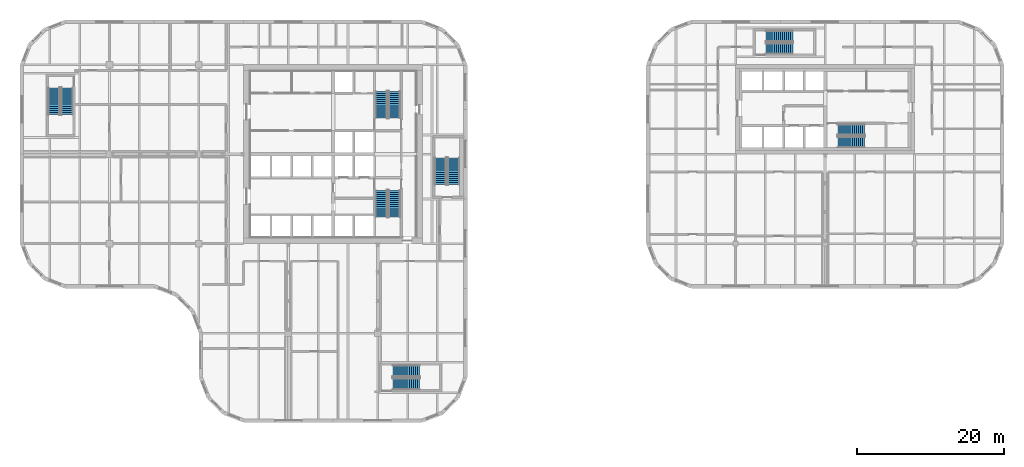
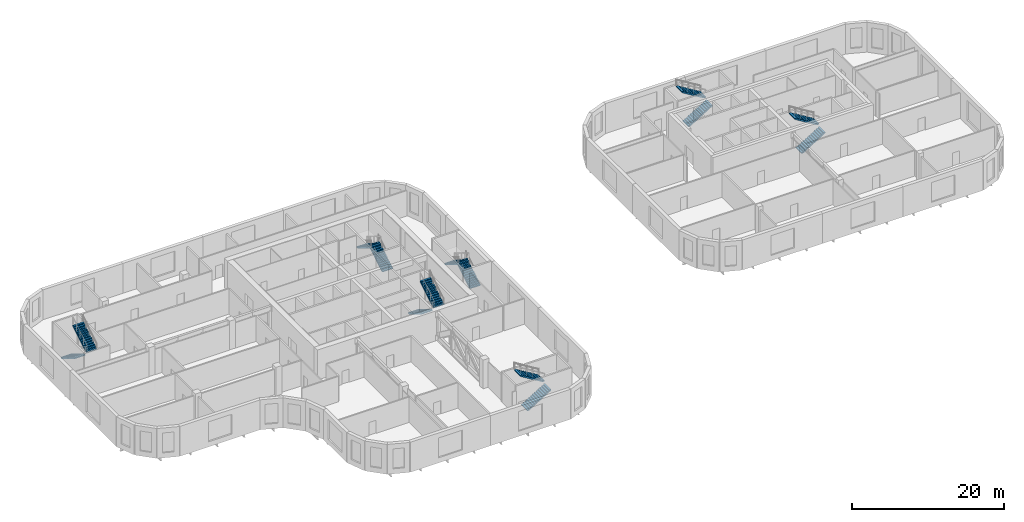
# One storey, part 17 of 21: 14 stair flights, 7 elements without a shape of their own.
"""IFC4 building model written with IfcOpenShell, lengths in metres."""

from ifc_helpers import new_model, si_unit, direction, frame, origin, place, context, subcontext, project, spatial, polyline, outline, extrude, material, type_object, element, aggregate, save


model = new_model("IFC4")

# Units and contexts
model_context = context("Model", 3, precision=1e-05, world=origin(), true_north=direction((0.0, 1.0)))
body_context = subcontext(model_context, "Body", "Model", "MODEL_VIEW")
ifc_project = project(units=[si_unit("LENGTHUNIT", "METRE"), si_unit("AREAUNIT", "SQUARE_METRE"), si_unit("VOLUMEUNIT", "CUBIC_METRE"), si_unit("PLANEANGLEUNIT", "RADIAN"), si_unit("MASSUNIT", "GRAM", prefix="KILO")], contexts=[model_context])

# Site, building, storey
site_placement = place(None, origin())
site = spatial("IfcSite", under=ifc_project, at=site_placement, CompositionType="ELEMENT")
building_placement = place(site_placement, origin())
building = spatial("IfcBuilding", under=site, at=building_placement, Name="Tessera Gate Towers", CompositionType="ELEMENT")
storey_placement = place(building_placement, frame((0.0, 0.0, 63.800048828125)))
storey = spatial("IfcBuildingStorey", under=building, at=storey_placement, Name="L15", CompositionType="ELEMENT", Elevation=63.800048828125)

# Stair, stair flights
ifc_material_1 = material(Name="Concrete C40/50", Category="concrete")
stair_type_1 = type_object("IfcStairType", Name="EXIT STAIR ST1A 1600", PredefinedType="HALF_TURN_STAIR", material=ifc_material_1)
stair_1_placement = place(storey_placement, origin())
stair_1 = element("IfcStair", 1, at=stair_1_placement, inside=storey, type_object=stair_type_1, Name="L15 Protected Exit Stair ST1", PredefinedType="HALF_TURN_STAIR")
ifc_material_2 = material(Name="Concrete C40/50", Category="concrete")
stair_flight_type_1 = type_object("IfcStairFlightType", Name="EXIT STAIR FLIGHT ST1A 1600", PredefinedType="STRAIGHT", material=ifc_material_2)
stair_flight_1_placement = place(storey_placement, frame((49.27490234375, 31.675048828125, 0.0), z_axis=(0.0, 0.0, 1.0), x_axis=(0.0, -1.0, 0.0)))
stair_flight_1 = element("IfcStairFlight", 2, at=stair_flight_1_placement, type_object=stair_flight_type_1, Name="ST1 flight 1", NumberOfRisers=14, NumberOfTreads=13, PredefinedType="STRAIGHT", RiserHeight=0.171428571, TreadLength=0.28, context=body_context, shape_type="SweptSolid", body=[
    extrude(outline(polyline([(0.0, 0.0), (0.0, 0.17138671875), (0.280029296875, 0.17138671875), (0.280029296875, 0.3427734375), (0.56005859375, 0.3427734375), (0.56005859375, 0.514404296875), (0.840087890625, 0.514404296875), (0.840087890625, 0.685791015625), (1.1201171875, 0.685791015625), (1.1201171875, 0.857177734375), (1.39990234375, 0.857177734375), (1.39990234375, 1.028564453125), (1.679931640625, 1.028564453125), (1.679931640625, 1.199951171875), (1.9599609375, 1.199951171875), (1.9599609375, 1.371337890625), (2.239990234375, 1.371337890625), (2.239990234375, 1.54296875), (2.52001953125, 1.54296875), (2.52001953125, 1.71435546875), (2.800048828125, 1.71435546875), (2.800048828125, 1.8857421875), (3.080078125, 1.8857421875), (3.080078125, 2.05712890625), (3.360107421875, 2.05712890625), (3.360107421875, 2.228515625), (3.639892578125, 2.228515625), (3.639892578125, 2.39990234375), (3.639892578125, 2.052734375), (0.287109375, 0.0), (0.0, 0.0)])), frame((0.0, 0.800048828125, 0.0), z_axis=(0.0, -1.0, 0.0), x_axis=(1.0, 0.0, 0.0)), (0.0, 0.0, 1.0), 1.60009765625),
])
stair_flight_2_placement = place(storey_placement, frame((51.074951171875, 28.034912109375, 2.39990234375), z_axis=(0.0, 0.0, 1.0), x_axis=(0.0, 1.0, 0.0)))
stair_flight_2 = element("IfcStairFlight", 3, at=stair_flight_2_placement, type_object=stair_flight_type_1, Name="ST1 flight 2", NumberOfRisers=14, NumberOfTreads=13, PredefinedType="STRAIGHT", RiserHeight=0.171428571, TreadLength=0.28, context=body_context, shape_type="SweptSolid", body=[
    extrude(outline(polyline([(0.0, 0.0), (0.0, 0.17138671875), (0.280029296875, 0.17138671875), (0.280029296875, 0.3427734375), (0.56005859375, 0.3427734375), (0.56005859375, 0.514404296875), (0.840087890625, 0.514404296875), (0.840087890625, 0.685791015625), (1.1201171875, 0.685791015625), (1.1201171875, 0.857177734375), (1.39990234375, 0.857177734375), (1.39990234375, 1.028564453125), (1.679931640625, 1.028564453125), (1.679931640625, 1.199951171875), (1.9599609375, 1.199951171875), (1.9599609375, 1.371337890625), (2.239990234375, 1.371337890625), (2.239990234375, 1.54296875), (2.52001953125, 1.54296875), (2.52001953125, 1.71435546875), (2.800048828125, 1.71435546875), (2.800048828125, 1.8857421875), (3.080078125, 1.8857421875), (3.080078125, 2.05712890625), (3.360107421875, 2.05712890625), (3.360107421875, 2.228515625), (3.639892578125, 2.228515625), (3.639892578125, 2.39990234375), (3.639892578125, 2.052734375), (0.287109375, 0.0), (0.0, 0.0)])), frame((0.0, 0.800048828125, 0.0), z_axis=(0.0, -1.0, 0.0), x_axis=(1.0, 0.0, 0.0)), (0.0, 0.0, 1.0), 1.60009765625),
])
aggregate(stair_1, [stair_flight_1, stair_flight_2])

ifc_material_3 = material(Name="Concrete C40/50", Category="concrete")
stair_type_2 = type_object("IfcStairType", Name="EXIT STAIR ST2A 1600", PredefinedType="HALF_TURN_STAIR", material=ifc_material_3)
stair_2_placement = place(storey_placement, origin())
stair_2 = element("IfcStair", 4, at=stair_2_placement, inside=storey, type_object=stair_type_2, Name="L15 Protected Exit Stair ST2", PredefinedType="HALF_TURN_STAIR")
ifc_material_4 = material(Name="Concrete C40/50", Category="concrete")
stair_flight_type_2 = type_object("IfcStairFlightType", Name="EXIT STAIR FLIGHT ST2A 1600", PredefinedType="STRAIGHT", material=ifc_material_4)
stair_flight_3_placement = place(storey_placement, frame((51.074951171875, 41.52490234375, 0.0), z_axis=(0.0, 0.0, 1.0), x_axis=(0.0, 1.0, 0.0)))
stair_flight_3 = element("IfcStairFlight", 5, at=stair_flight_3_placement, type_object=stair_flight_type_2, Name="ST2 flight 1", NumberOfRisers=14, NumberOfTreads=13, PredefinedType="STRAIGHT", RiserHeight=0.171428571, TreadLength=0.28, context=body_context, shape_type="SweptSolid", body=[
    extrude(outline(polyline([(0.0, 0.0), (0.0, 0.17138671875), (0.280029296875, 0.17138671875), (0.280029296875, 0.3427734375), (0.56005859375, 0.3427734375), (0.56005859375, 0.514404296875), (0.840087890625, 0.514404296875), (0.840087890625, 0.685791015625), (1.1201171875, 0.685791015625), (1.1201171875, 0.857177734375), (1.39990234375, 0.857177734375), (1.39990234375, 1.028564453125), (1.679931640625, 1.028564453125), (1.679931640625, 1.199951171875), (1.9599609375, 1.199951171875), (1.9599609375, 1.371337890625), (2.239990234375, 1.371337890625), (2.239990234375, 1.54296875), (2.52001953125, 1.54296875), (2.52001953125, 1.71435546875), (2.800048828125, 1.71435546875), (2.800048828125, 1.8857421875), (3.080078125, 1.8857421875), (3.080078125, 2.05712890625), (3.360107421875, 2.05712890625), (3.360107421875, 2.228515625), (3.639892578125, 2.228515625), (3.639892578125, 2.39990234375), (3.639892578125, 2.052734375), (0.287109375, 0.0), (0.0, 0.0)])), frame((0.0, 0.800048828125, 0.0), z_axis=(0.0, -1.0, 0.0), x_axis=(1.0, 0.0, 0.0)), (0.0, 0.0, 1.0), 1.60009765625),
])
stair_flight_4_placement = place(storey_placement, frame((49.27490234375, 45.1650390625, 2.39990234375), z_axis=(0.0, 0.0, 1.0), x_axis=(0.0, -1.0, 0.0)))
stair_flight_4 = element("IfcStairFlight", 6, at=stair_flight_4_placement, type_object=stair_flight_type_2, Name="ST2 flight 2", NumberOfRisers=14, NumberOfTreads=13, PredefinedType="STRAIGHT", RiserHeight=0.171428571, TreadLength=0.28, context=body_context, shape_type="SweptSolid", body=[
    extrude(outline(polyline([(0.0, 0.0), (0.0, 0.17138671875), (0.280029296875, 0.17138671875), (0.280029296875, 0.3427734375), (0.56005859375, 0.3427734375), (0.56005859375, 0.514404296875), (0.840087890625, 0.514404296875), (0.840087890625, 0.685791015625), (1.1201171875, 0.685791015625), (1.1201171875, 0.857177734375), (1.39990234375, 0.857177734375), (1.39990234375, 1.028564453125), (1.679931640625, 1.028564453125), (1.679931640625, 1.199951171875), (1.9599609375, 1.199951171875), (1.9599609375, 1.371337890625), (2.239990234375, 1.371337890625), (2.239990234375, 1.54296875), (2.52001953125, 1.54296875), (2.52001953125, 1.71435546875), (2.800048828125, 1.71435546875), (2.800048828125, 1.8857421875), (3.080078125, 1.8857421875), (3.080078125, 2.05712890625), (3.360107421875, 2.05712890625), (3.360107421875, 2.228515625), (3.639892578125, 2.228515625), (3.639892578125, 2.39990234375), (3.639892578125, 2.052734375), (0.287109375, 0.0), (0.0, 0.0)])), frame((0.0, 0.800048828125, 0.0), z_axis=(0.0, -1.0, 0.0), x_axis=(1.0, 0.0, 0.0)), (0.0, 0.0, 1.0), 1.60009765625),
])
aggregate(stair_2, [stair_flight_3, stair_flight_4])

ifc_material_5 = material(Name="Concrete C40/50", Category="concrete")
stair_type_3 = type_object("IfcStairType", Name="EXIT STAIR ST3A 1600", PredefinedType="HALF_TURN_STAIR", material=ifc_material_5)
stair_3_placement = place(storey_placement, origin())
stair_3 = element("IfcStair", 7, at=stair_3_placement, inside=storey, type_object=stair_type_3, Name="L15 West Exit Stair ST3", PredefinedType="HALF_TURN_STAIR")
ifc_material_6 = material(Name="Concrete C40/50", Category="concrete")
stair_flight_type_3 = type_object("IfcStairFlightType", Name="EXIT STAIR FLIGHT ST3A 1600", PredefinedType="STRAIGHT", material=ifc_material_6)
stair_flight_5_placement = place(storey_placement, frame((4.64990234375, 45.64990234375, 0.0), z_axis=(0.0, 0.0, 1.0), x_axis=(0.0, -1.0, 0.0)))
stair_flight_5 = element("IfcStairFlight", 8, at=stair_flight_5_placement, type_object=stair_flight_type_3, Name="ST3 flight 1", NumberOfRisers=14, NumberOfTreads=13, PredefinedType="STRAIGHT", RiserHeight=0.171428571, TreadLength=0.28, context=body_context, shape_type="SweptSolid", body=[
    extrude(outline(polyline([(0.0, 0.0), (0.0, 0.17138671875), (0.280029296875, 0.17138671875), (0.280029296875, 0.3427734375), (0.56005859375, 0.3427734375), (0.56005859375, 0.514404296875), (0.840087890625, 0.514404296875), (0.840087890625, 0.685791015625), (1.1201171875, 0.685791015625), (1.1201171875, 0.857177734375), (1.39990234375, 0.857177734375), (1.39990234375, 1.028564453125), (1.679931640625, 1.028564453125), (1.679931640625, 1.199951171875), (1.9599609375, 1.199951171875), (1.9599609375, 1.371337890625), (2.239990234375, 1.371337890625), (2.239990234375, 1.54296875), (2.52001953125, 1.54296875), (2.52001953125, 1.71435546875), (2.800048828125, 1.71435546875), (2.800048828125, 1.8857421875), (3.080078125, 1.8857421875), (3.080078125, 2.05712890625), (3.360107421875, 2.05712890625), (3.360107421875, 2.228515625), (3.639892578125, 2.228515625), (3.639892578125, 2.39990234375), (3.639892578125, 2.052734375), (0.287109375, 0.0), (0.0, 0.0)])), frame((0.0, 0.800048828125, 0.0), z_axis=(0.0, -1.0, 0.0), x_axis=(1.0, 0.0, 0.0)), (0.0, 0.0, 1.0), 1.60009765625),
])
stair_flight_6_placement = place(storey_placement, frame((6.449951171875, 42.010009765625, 2.39990234375), z_axis=(0.0, 0.0, 1.0), x_axis=(0.0, 1.0, 0.0)))
stair_flight_6 = element("IfcStairFlight", 9, at=stair_flight_6_placement, type_object=stair_flight_type_3, Name="ST3 flight 2", NumberOfRisers=14, NumberOfTreads=13, PredefinedType="STRAIGHT", RiserHeight=0.171428571, TreadLength=0.28, context=body_context, shape_type="SweptSolid", body=[
    extrude(outline(polyline([(0.0, 0.0), (0.0, 0.17138671875), (0.280029296875, 0.17138671875), (0.280029296875, 0.3427734375), (0.56005859375, 0.3427734375), (0.56005859375, 0.514404296875), (0.840087890625, 0.514404296875), (0.840087890625, 0.685791015625), (1.1201171875, 0.685791015625), (1.1201171875, 0.857177734375), (1.39990234375, 0.857177734375), (1.39990234375, 1.028564453125), (1.679931640625, 1.028564453125), (1.679931640625, 1.199951171875), (1.9599609375, 1.199951171875), (1.9599609375, 1.371337890625), (2.239990234375, 1.371337890625), (2.239990234375, 1.54296875), (2.52001953125, 1.54296875), (2.52001953125, 1.71435546875), (2.800048828125, 1.71435546875), (2.800048828125, 1.8857421875), (3.080078125, 1.8857421875), (3.080078125, 2.05712890625), (3.360107421875, 2.05712890625), (3.360107421875, 2.228515625), (3.639892578125, 2.228515625), (3.639892578125, 2.39990234375), (3.639892578125, 2.052734375), (0.287109375, 0.0), (0.0, 0.0)])), frame((0.0, 0.800048828125, 0.0), z_axis=(0.0, -1.0, 0.0), x_axis=(1.0, 0.0, 0.0)), (0.0, 0.0, 1.0), 1.60009765625),
])
aggregate(stair_3, [stair_flight_5, stair_flight_6])

ifc_material_7 = material(Name="Concrete C40/50", Category="concrete")
stair_type_4 = type_object("IfcStairType", Name="EXIT STAIR ST4A 1600", PredefinedType="HALF_TURN_STAIR", material=ifc_material_7)
stair_4_placement = place(storey_placement, origin())
stair_4 = element("IfcStair", 10, at=stair_4_placement, inside=storey, type_object=stair_type_4, Name="L15 South Exit Stair ST4", PredefinedType="HALF_TURN_STAIR")
ifc_material_8 = material(Name="Concrete C40/50", Category="concrete")
stair_flight_type_4 = type_object("IfcStairFlightType", Name="EXIT STAIR FLIGHT ST4A 1600", PredefinedType="STRAIGHT", material=ifc_material_8)
stair_flight_7_placement = place(storey_placement, frame((50.85009765625, 5.25, 0.0), z_axis=(0.0, 0.0, 1.0), x_axis=(1.0, 0.0, 0.0)))
stair_flight_7 = element("IfcStairFlight", 11, at=stair_flight_7_placement, type_object=stair_flight_type_4, Name="ST4 flight 1", NumberOfRisers=14, NumberOfTreads=13, PredefinedType="STRAIGHT", RiserHeight=0.171428571, TreadLength=0.28, context=body_context, shape_type="SweptSolid", body=[
    extrude(outline(polyline([(0.0, 0.0), (0.0, 0.17138671875), (0.280029296875, 0.17138671875), (0.280029296875, 0.3427734375), (0.56005859375, 0.3427734375), (0.56005859375, 0.514404296875), (0.840087890625, 0.514404296875), (0.840087890625, 0.685791015625), (1.1201171875, 0.685791015625), (1.1201171875, 0.857177734375), (1.39990234375, 0.857177734375), (1.39990234375, 1.028564453125), (1.679931640625, 1.028564453125), (1.679931640625, 1.199951171875), (1.9599609375, 1.199951171875), (1.9599609375, 1.371337890625), (2.239990234375, 1.371337890625), (2.239990234375, 1.54296875), (2.52001953125, 1.54296875), (2.52001953125, 1.71435546875), (2.800048828125, 1.71435546875), (2.800048828125, 1.8857421875), (3.080078125, 1.8857421875), (3.080078125, 2.05712890625), (3.360107421875, 2.05712890625), (3.360107421875, 2.228515625), (3.639892578125, 2.228515625), (3.639892578125, 2.39990234375), (3.639892578125, 2.052734375), (0.287109375, 0.0), (0.0, 0.0)])), frame((0.0, 0.800048828125, 0.0), z_axis=(0.0, -1.0, 0.0), x_axis=(1.0, 0.0, 0.0)), (0.0, 0.0, 1.0), 1.60009765625),
])
stair_flight_8_placement = place(storey_placement, frame((54.489990234375, 7.050048828125, 2.39990234375), z_axis=(0.0, 0.0, 1.0), x_axis=(-1.0, 0.0, 0.0)))
stair_flight_8 = element("IfcStairFlight", 12, at=stair_flight_8_placement, type_object=stair_flight_type_4, Name="ST4 flight 2", NumberOfRisers=14, NumberOfTreads=13, PredefinedType="STRAIGHT", RiserHeight=0.171428571, TreadLength=0.28, context=body_context, shape_type="SweptSolid", body=[
    extrude(outline(polyline([(0.0, 0.0), (0.0, 0.17138671875), (0.280029296875, 0.17138671875), (0.280029296875, 0.3427734375), (0.56005859375, 0.3427734375), (0.56005859375, 0.514404296875), (0.840087890625, 0.514404296875), (0.840087890625, 0.685791015625), (1.1201171875, 0.685791015625), (1.1201171875, 0.857177734375), (1.39990234375, 0.857177734375), (1.39990234375, 1.028564453125), (1.679931640625, 1.028564453125), (1.679931640625, 1.199951171875), (1.9599609375, 1.199951171875), (1.9599609375, 1.371337890625), (2.239990234375, 1.371337890625), (2.239990234375, 1.54296875), (2.52001953125, 1.54296875), (2.52001953125, 1.71435546875), (2.800048828125, 1.71435546875), (2.800048828125, 1.8857421875), (3.080078125, 1.8857421875), (3.080078125, 2.05712890625), (3.360107421875, 2.05712890625), (3.360107421875, 2.228515625), (3.639892578125, 2.228515625), (3.639892578125, 2.39990234375), (3.639892578125, 2.052734375), (0.287109375, 0.0), (0.0, 0.0)])), frame((0.0, 0.800048828125, 0.0), z_axis=(0.0, -1.0, 0.0), x_axis=(1.0, 0.0, 0.0)), (0.0, 0.0, 1.0), 1.60009765625),
])
aggregate(stair_4, [stair_flight_7, stair_flight_8])

ifc_material_9 = material(Name="Concrete C40/50", Category="concrete")
stair_type_5 = type_object("IfcStairType", Name="EXIT STAIR ST5A 1600", PredefinedType="HALF_TURN_STAIR", material=ifc_material_9)
stair_5_placement = place(storey_placement, origin())
stair_5 = element("IfcStair", 13, at=stair_5_placement, inside=storey, type_object=stair_type_5, Name="L15 East Exit Stair ST5", PredefinedType="HALF_TURN_STAIR")
ifc_material_10 = material(Name="Concrete C40/50", Category="concrete")
stair_flight_type_5 = type_object("IfcStairFlightType", Name="EXIT STAIR FLIGHT ST5A 1600", PredefinedType="STRAIGHT", material=ifc_material_10)
stair_flight_9_placement = place(storey_placement, frame((59.14990234375, 32.449951171875, 0.0), z_axis=(0.0, 0.0, 1.0), x_axis=(0.0, 1.0, 0.0)))
stair_flight_9 = element("IfcStairFlight", 14, at=stair_flight_9_placement, type_object=stair_flight_type_5, Name="ST5 flight 1", NumberOfRisers=14, NumberOfTreads=13, PredefinedType="STRAIGHT", RiserHeight=0.171428571, TreadLength=0.28, context=body_context, shape_type="SweptSolid", body=[
    extrude(outline(polyline([(0.0, 0.0), (0.0, 0.17138671875), (0.280029296875, 0.17138671875), (0.280029296875, 0.3427734375), (0.56005859375, 0.3427734375), (0.56005859375, 0.514404296875), (0.840087890625, 0.514404296875), (0.840087890625, 0.685791015625), (1.1201171875, 0.685791015625), (1.1201171875, 0.857177734375), (1.39990234375, 0.857177734375), (1.39990234375, 1.028564453125), (1.679931640625, 1.028564453125), (1.679931640625, 1.199951171875), (1.9599609375, 1.199951171875), (1.9599609375, 1.371337890625), (2.239990234375, 1.371337890625), (2.239990234375, 1.54296875), (2.52001953125, 1.54296875), (2.52001953125, 1.71435546875), (2.800048828125, 1.71435546875), (2.800048828125, 1.8857421875), (3.080078125, 1.8857421875), (3.080078125, 2.05712890625), (3.360107421875, 2.05712890625), (3.360107421875, 2.228515625), (3.639892578125, 2.228515625), (3.639892578125, 2.39990234375), (3.639892578125, 2.052734375), (0.287109375, 0.0), (0.0, 0.0)])), frame((0.0, 0.800048828125, 0.0), z_axis=(0.0, -1.0, 0.0), x_axis=(1.0, 0.0, 0.0)), (0.0, 0.0, 1.0), 1.60009765625),
])
stair_flight_10_placement = place(storey_placement, frame((57.35009765625, 36.090087890625, 2.39990234375), z_axis=(0.0, 0.0, 1.0), x_axis=(0.0, -1.0, 0.0)))
stair_flight_10 = element("IfcStairFlight", 15, at=stair_flight_10_placement, type_object=stair_flight_type_5, Name="ST5 flight 2", NumberOfRisers=14, NumberOfTreads=13, PredefinedType="STRAIGHT", RiserHeight=0.171428571, TreadLength=0.28, context=body_context, shape_type="SweptSolid", body=[
    extrude(outline(polyline([(0.0, 0.0), (0.0, 0.17138671875), (0.280029296875, 0.17138671875), (0.280029296875, 0.3427734375), (0.56005859375, 0.3427734375), (0.56005859375, 0.514404296875), (0.840087890625, 0.514404296875), (0.840087890625, 0.685791015625), (1.1201171875, 0.685791015625), (1.1201171875, 0.857177734375), (1.39990234375, 0.857177734375), (1.39990234375, 1.028564453125), (1.679931640625, 1.028564453125), (1.679931640625, 1.199951171875), (1.9599609375, 1.199951171875), (1.9599609375, 1.371337890625), (2.239990234375, 1.371337890625), (2.239990234375, 1.54296875), (2.52001953125, 1.54296875), (2.52001953125, 1.71435546875), (2.800048828125, 1.71435546875), (2.800048828125, 1.8857421875), (3.080078125, 1.8857421875), (3.080078125, 2.05712890625), (3.360107421875, 2.05712890625), (3.360107421875, 2.228515625), (3.639892578125, 2.228515625), (3.639892578125, 2.39990234375), (3.639892578125, 2.052734375), (0.287109375, 0.0), (0.0, 0.0)])), frame((0.0, 0.800048828125, 0.0), z_axis=(0.0, -1.0, 0.0), x_axis=(1.0, 0.0, 0.0)), (0.0, 0.0, 1.0), 1.60009765625),
])
aggregate(stair_5, [stair_flight_9, stair_flight_10])

ifc_material_11 = material(Name="Concrete C40/50", Category="concrete")
stair_type_6 = type_object("IfcStairType", Name="EXIT STAIR ST6A 1500", PredefinedType="HALF_TURN_STAIR", material=ifc_material_11)
stair_6_placement = place(storey_placement, origin())
stair_6 = element("IfcStair", 16, at=stair_6_placement, inside=storey, type_object=stair_type_6, Name="L15 Protected Exit Stair ST6", PredefinedType="HALF_TURN_STAIR")
ifc_material_12 = material(Name="Concrete C40/50", Category="concrete")
stair_flight_type_6 = type_object("IfcStairFlightType", Name="EXIT STAIR FLIGHT ST6A 1500", PredefinedType="STRAIGHT", material=ifc_material_12)
stair_flight_11_placement = place(storey_placement, frame((111.550048828125, 38.25, 0.0), z_axis=(0.0, 0.0, 1.0), x_axis=(1.0, 0.0, 0.0)))
stair_flight_11 = element("IfcStairFlight", 17, at=stair_flight_11_placement, type_object=stair_flight_type_6, Name="ST6 flight 1", NumberOfRisers=14, NumberOfTreads=13, PredefinedType="STRAIGHT", RiserHeight=0.171428571, TreadLength=0.28, context=body_context, shape_type="SweptSolid", body=[
    extrude(outline(polyline([(0.0, 0.0), (0.0, 0.17138671875), (0.280029296875, 0.17138671875), (0.280029296875, 0.3427734375), (0.56005859375, 0.3427734375), (0.56005859375, 0.514404296875), (0.840087890625, 0.514404296875), (0.840087890625, 0.685791015625), (1.1201171875, 0.685791015625), (1.1201171875, 0.857177734375), (1.39990234375, 0.857177734375), (1.39990234375, 1.028564453125), (1.679931640625, 1.028564453125), (1.679931640625, 1.199951171875), (1.9599609375, 1.199951171875), (1.9599609375, 1.371337890625), (2.239990234375, 1.371337890625), (2.239990234375, 1.54296875), (2.52001953125, 1.54296875), (2.52001953125, 1.71435546875), (2.800048828125, 1.71435546875), (2.800048828125, 1.8857421875), (3.080078125, 1.8857421875), (3.080078125, 2.05712890625), (3.360107421875, 2.05712890625), (3.360107421875, 2.228515625), (3.639892578125, 2.228515625), (3.639892578125, 2.39990234375), (3.639892578125, 2.052734375), (0.287109375, 0.0), (0.0, 0.0)])), frame((0.0, 0.75, 0.0), z_axis=(0.0, -1.0, 0.0), x_axis=(1.0, 0.0, 0.0)), (0.0, 0.0, 1.0), 1.5),
])
stair_flight_12_placement = place(storey_placement, frame((115.18994140625, 39.949951171875, 2.39990234375), z_axis=(0.0, 0.0, 1.0), x_axis=(-1.0, 0.0, 0.0)))
stair_flight_12 = element("IfcStairFlight", 18, at=stair_flight_12_placement, type_object=stair_flight_type_6, Name="ST6 flight 2", NumberOfRisers=14, NumberOfTreads=13, PredefinedType="STRAIGHT", RiserHeight=0.171428571, TreadLength=0.28, context=body_context, shape_type="SweptSolid", body=[
    extrude(outline(polyline([(0.0, 0.0), (0.0, 0.17138671875), (0.280029296875, 0.17138671875), (0.280029296875, 0.3427734375), (0.56005859375, 0.3427734375), (0.56005859375, 0.514404296875), (0.840087890625, 0.514404296875), (0.840087890625, 0.685791015625), (1.1201171875, 0.685791015625), (1.1201171875, 0.857177734375), (1.39990234375, 0.857177734375), (1.39990234375, 1.028564453125), (1.679931640625, 1.028564453125), (1.679931640625, 1.199951171875), (1.9599609375, 1.199951171875), (1.9599609375, 1.371337890625), (2.239990234375, 1.371337890625), (2.239990234375, 1.54296875), (2.52001953125, 1.54296875), (2.52001953125, 1.71435546875), (2.800048828125, 1.71435546875), (2.800048828125, 1.8857421875), (3.080078125, 1.8857421875), (3.080078125, 2.05712890625), (3.360107421875, 2.05712890625), (3.360107421875, 2.228515625), (3.639892578125, 2.228515625), (3.639892578125, 2.39990234375), (3.639892578125, 2.052734375), (0.287109375, 0.0), (0.0, 0.0)])), frame((0.0, 0.75, 0.0), z_axis=(0.0, -1.0, 0.0), x_axis=(1.0, 0.0, 0.0)), (0.0, 0.0, 1.0), 1.5),
])
aggregate(stair_6, [stair_flight_11, stair_flight_12])

ifc_material_13 = material(Name="Concrete C40/50", Category="concrete")
stair_type_7 = type_object("IfcStairType", Name="EXIT STAIR ST7A 1500", PredefinedType="HALF_TURN_STAIR", material=ifc_material_13)
stair_7_placement = place(storey_placement, origin())
stair_7 = element("IfcStair", 19, at=stair_7_placement, inside=storey, type_object=stair_type_7, Name="L15 North Exit Stair ST7", PredefinedType="HALF_TURN_STAIR")
ifc_material_14 = material(Name="Concrete C40/50", Category="concrete")
stair_flight_type_7 = type_object("IfcStairFlightType", Name="EXIT STAIR FLIGHT ST7A 1500", PredefinedType="STRAIGHT", material=ifc_material_14)
stair_flight_13_placement = place(storey_placement, frame((101.75, 51.0, 0.0), z_axis=(0.0, 0.0, 1.0), x_axis=(1.0, 0.0, 0.0)))
stair_flight_13 = element("IfcStairFlight", 20, at=stair_flight_13_placement, type_object=stair_flight_type_7, Name="ST7 flight 1", NumberOfRisers=14, NumberOfTreads=13, PredefinedType="STRAIGHT", RiserHeight=0.171428571, TreadLength=0.28, context=body_context, shape_type="SweptSolid", body=[
    extrude(outline(polyline([(0.0, 0.0), (0.0, 0.17138671875), (0.280029296875, 0.17138671875), (0.280029296875, 0.3427734375), (0.56005859375, 0.3427734375), (0.56005859375, 0.514404296875), (0.840087890625, 0.514404296875), (0.840087890625, 0.685791015625), (1.1201171875, 0.685791015625), (1.1201171875, 0.857177734375), (1.39990234375, 0.857177734375), (1.39990234375, 1.028564453125), (1.679931640625, 1.028564453125), (1.679931640625, 1.199951171875), (1.9599609375, 1.199951171875), (1.9599609375, 1.371337890625), (2.239990234375, 1.371337890625), (2.239990234375, 1.54296875), (2.52001953125, 1.54296875), (2.52001953125, 1.71435546875), (2.800048828125, 1.71435546875), (2.800048828125, 1.8857421875), (3.080078125, 1.8857421875), (3.080078125, 2.05712890625), (3.360107421875, 2.05712890625), (3.360107421875, 2.228515625), (3.639892578125, 2.228515625), (3.639892578125, 2.39990234375), (3.639892578125, 2.052734375), (0.287109375, 0.0), (0.0, 0.0)])), frame((0.0, 0.75, 0.0), z_axis=(0.0, -1.0, 0.0), x_axis=(1.0, 0.0, 0.0)), (0.0, 0.0, 1.0), 1.5),
])
stair_flight_14_placement = place(storey_placement, frame((105.389892578125, 52.699951171875, 2.39990234375), z_axis=(0.0, 0.0, 1.0), x_axis=(-1.0, 0.0, 0.0)))
stair_flight_14 = element("IfcStairFlight", 21, at=stair_flight_14_placement, type_object=stair_flight_type_7, Name="ST7 flight 2", NumberOfRisers=14, NumberOfTreads=13, PredefinedType="STRAIGHT", RiserHeight=0.171428571, TreadLength=0.28, context=body_context, shape_type="SweptSolid", body=[
    extrude(outline(polyline([(0.0, 0.0), (0.0, 0.17138671875), (0.280029296875, 0.17138671875), (0.280029296875, 0.3427734375), (0.56005859375, 0.3427734375), (0.56005859375, 0.514404296875), (0.840087890625, 0.514404296875), (0.840087890625, 0.685791015625), (1.1201171875, 0.685791015625), (1.1201171875, 0.857177734375), (1.39990234375, 0.857177734375), (1.39990234375, 1.028564453125), (1.679931640625, 1.028564453125), (1.679931640625, 1.199951171875), (1.9599609375, 1.199951171875), (1.9599609375, 1.371337890625), (2.239990234375, 1.371337890625), (2.239990234375, 1.54296875), (2.52001953125, 1.54296875), (2.52001953125, 1.71435546875), (2.800048828125, 1.71435546875), (2.800048828125, 1.8857421875), (3.080078125, 1.8857421875), (3.080078125, 2.05712890625), (3.360107421875, 2.05712890625), (3.360107421875, 2.228515625), (3.639892578125, 2.228515625), (3.639892578125, 2.39990234375), (3.639892578125, 2.052734375), (0.287109375, 0.0), (0.0, 0.0)])), frame((0.0, 0.75, 0.0), z_axis=(0.0, -1.0, 0.0), x_axis=(1.0, 0.0, 0.0)), (0.0, 0.0, 1.0), 1.5),
])
aggregate(stair_7, [stair_flight_13, stair_flight_14])

save(model, "model.ifc")
